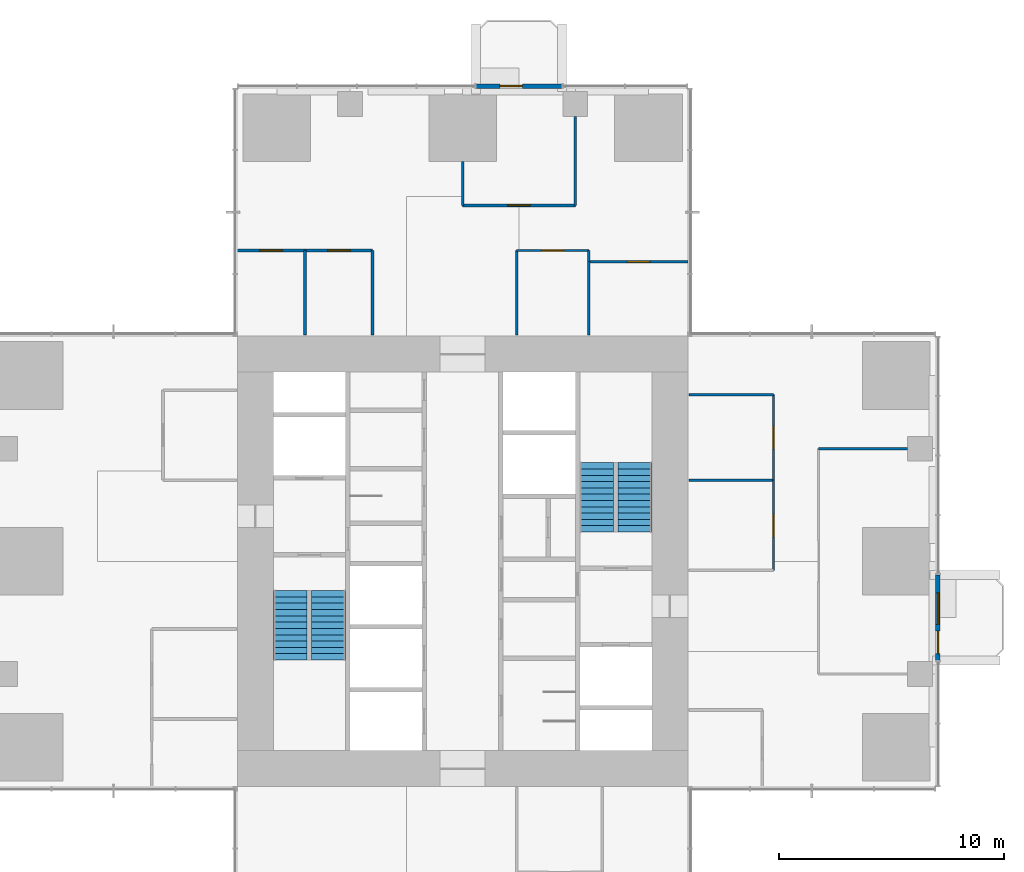
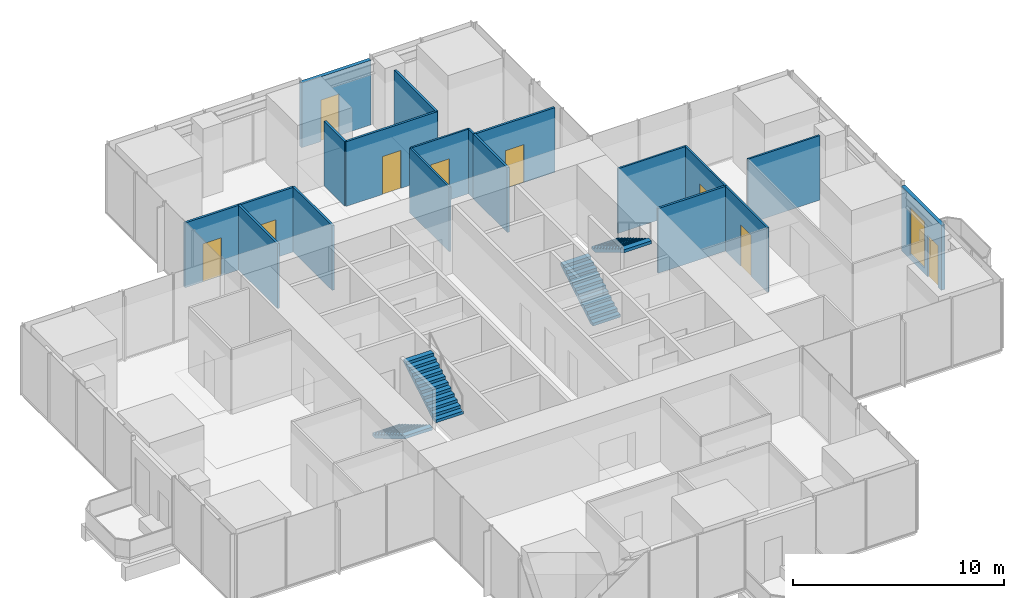
# One storey, part 10 of 13: 19 walls, 9 doors, 4 stair flights, 1 window, 10 openings, 2 elements without a shape of their own.
"""IFC4 building model written with IfcOpenShell, lengths in metres."""

from ifc_helpers import new_model, si_unit, direction, frame, frame_2d, origin, place, context, subcontext, project, spatial, polyline, rectangle, outline, extrude, material, layer, layer_set, type_object, element, fill, aggregate, save


model = new_model("IFC4")

# Units and contexts
model_context = context("Model", 3, precision=1e-05, world=origin(), true_north=direction((0.0, 1.0)))
body_context = subcontext(model_context, "Body", "Model", "MODEL_VIEW")
ifc_project = project(units=[si_unit("LENGTHUNIT", "METRE"), si_unit("AREAUNIT", "SQUARE_METRE"), si_unit("VOLUMEUNIT", "CUBIC_METRE"), si_unit("PLANEANGLEUNIT", "RADIAN"), si_unit("MASSUNIT", "GRAM", prefix="KILO")], contexts=[model_context])

# Site, building, storey
site_placement = place(None, origin())
site = spatial("IfcSite", under=ifc_project, at=site_placement, CompositionType="ELEMENT")
building_placement = place(site_placement, origin())
building = spatial("IfcBuilding", under=site, at=building_placement, Name="Svetlomir Tower", CompositionType="ELEMENT")
storey_placement = place(building_placement, frame((0.0, 0.0, 152.5)))
storey = spatial("IfcBuildingStorey", under=building, at=storey_placement, Name="L36", CompositionType="ELEMENT", Elevation=152.5)

# Wall, openings, door, window
ifc_material_1 = material(Name="Bronze anodised aluminium glazed screen", Category="aluminium")
ifc_layer_1 = layer(ifc_material_1, 0.199951171875)
ifc_layer_set_1 = layer_set([ifc_layer_1], Name="Bronze anodised aluminium glazed screen")
wall_type_1 = type_object("IfcWallType", Name="BALCONY SCREEN WALL 200", PredefinedType="USERDEFINED", material=ifc_layer_set_1)
wall_1_placement = place(storey_placement, frame((42.10009765625, 16.60009765625, 0.0), z_axis=(0.0, 0.0, 1.0), x_axis=(0.0, 1.0, 0.0)))
wall_1 = element("IfcWall", 1, at=wall_1_placement, inside=storey, type_object=wall_type_1, Name="Balcony screen E", ObjectType="GLAZED SCREEN", PredefinedType="USERDEFINED", context=body_context, shape_type="SweptSolid", body=[
    extrude(rectangle(XDim=3.7998046875, YDim=0.199951171875, at=frame_2d((1.89990234375, 0.0))), origin(), (0.0, 0.0, 1.0), 3.75),
])
opening_1_placement = place(wall_1_placement, frame((0.300048828125, 0.0, 0.0)))
opening_1 = element("IfcOpeningElement", 2, at=opening_1_placement, cuts=wall_1, Name="Opening BD", PredefinedType="OPENING", context=body_context, shape_type="SweptSolid", body=[
    extrude(rectangle(XDim=1.0, YDim=2.39990234375, at=frame_2d((0.5, 1.199951171875))), frame((0.0, 0.10986328125, 0.0), z_axis=(0.0, -1.0, 0.0), x_axis=(1.0, 0.0, 0.0)), (0.0, 0.0, 1.0), 0.219970703125),
])
opening_2_placement = place(wall_1_placement, frame((1.60009765625, 0.0, 0.300048828125)))
opening_2 = element("IfcOpeningElement", 3, at=opening_2_placement, cuts=wall_1, Name="Opening WS2", PredefinedType="OPENING", context=body_context, shape_type="SweptSolid", body=[
    extrude(rectangle(XDim=1.39990234375, YDim=2.699951171875, at=frame_2d((0.699951171875, 1.35009765625))), frame((0.0, 0.10986328125, 0.0), z_axis=(0.0, -1.0, 0.0), x_axis=(1.0, 0.0, 0.0)), (0.0, 0.0, 1.0), 0.219970703125),
])
ifc_material_2 = material(Name="Bronze anodised aluminium glazed door", Category="aluminium")
door_type_1 = type_object("IfcDoorType", Name="BALCONY DOOR BD 1000x2400", OperationType="SINGLE_SWING_LEFT", PredefinedType="DOOR", material=ifc_material_2)
door_1_placement = place(opening_1_placement, origin())
door_1 = element("IfcDoor", 4, at=door_1_placement, inside=storey, type_object=door_type_1, Name="Balcony screen E door", OperationType="SINGLE_SWING_LEFT", OverallHeight=2.39990234375, OverallWidth=1.0, PredefinedType="DOOR", context=body_context, shape_type="SweptSolid", body=[
    extrude(rectangle(XDim=1.0, YDim=2.39990234375, at=frame_2d((0.5, 1.199951171875))), frame((0.0, 0.02490234375, 0.0), z_axis=(0.0, -1.0, 0.0), x_axis=(1.0, 0.0, 0.0)), (0.0, 0.0, 1.0), 0.050048828125),
])
fill(opening_1, door_1)
ifc_material_3 = material(Name="Bronze anodised aluminium window", Category="aluminium")
window_type = type_object("IfcWindowType", Name="SCREEN WINDOW WS2 1400x2700", PartitioningType="SINGLE_PANEL", PredefinedType="WINDOW", material=ifc_material_3)
window_placement = place(opening_2_placement, origin())
window = element("IfcWindow", 5, at=window_placement, inside=storey, type_object=window_type, Name="Balcony screen E window 1", OverallHeight=2.699951171875, OverallWidth=1.39990234375, PartitioningType="SINGLE_PANEL", PredefinedType="WINDOW", context=body_context, shape_type="SweptSolid", body=[
    extrude(rectangle(XDim=1.39990234375, YDim=2.699951171875, at=frame_2d((0.699951171875, 1.35009765625))), frame((0.0, 0.030029296875, 0.0), z_axis=(0.0, -1.0, 0.0), x_axis=(1.0, 0.0, 0.0)), (0.0, 0.0, 1.0), 0.06005859375),
])
fill(opening_2, window)

# Wall, opening, door
wall_2_placement = place(storey_placement, frame((25.39990234375, 42.10009765625, 0.0), z_axis=(0.0, 0.0, 1.0), x_axis=(-1.0, 0.0, 0.0)))
wall_2 = element("IfcWall", 6, at=wall_2_placement, inside=storey, type_object=wall_type_1, Name="Balcony screen N", ObjectType="GLAZED SCREEN", PredefinedType="USERDEFINED", context=body_context, shape_type="SweptSolid", body=[
    extrude(rectangle(XDim=3.7998046875, YDim=0.199951171875, at=frame_2d((1.89990234375, 0.0))), origin(), (0.0, 0.0, 1.0), 3.75),
])
opening_3_placement = place(wall_2_placement, frame((1.75, 0.0, 0.0)))
opening_3 = element("IfcOpeningElement", 7, at=opening_3_placement, cuts=wall_2, Name="Opening BD", PredefinedType="OPENING", context=body_context, shape_type="SweptSolid", body=[
    extrude(rectangle(XDim=1.0, YDim=2.39990234375, at=frame_2d((0.5, 1.199951171875))), frame((0.0, 0.10986328125, 0.0), z_axis=(0.0, -1.0, 0.0), x_axis=(1.0, 0.0, 0.0)), (0.0, 0.0, 1.0), 0.219970703125),
])
door_2_placement = place(opening_3_placement, origin())
door_2 = element("IfcDoor", 8, at=door_2_placement, inside=storey, type_object=door_type_1, Name="Balcony screen N door", OperationType="SINGLE_SWING_LEFT", OverallHeight=2.39990234375, OverallWidth=1.0, PredefinedType="DOOR", context=body_context, shape_type="SweptSolid", body=[
    extrude(rectangle(XDim=1.0, YDim=2.39990234375, at=frame_2d((0.5, 1.199951171875))), frame((0.0, 0.02490234375, 0.0), z_axis=(0.0, -1.0, 0.0), x_axis=(1.0, 0.0, 0.0)), (0.0, 0.0, 1.0), 0.050048828125),
])
fill(opening_3, door_2)

# Wall
ifc_material_4 = material(Name="Framed laminated glass partition", Category="glass")
ifc_layer_2 = layer(ifc_material_4, 0.10009765625)
ifc_layer_set_2 = layer_set([ifc_layer_2], Name="Framed laminated glass partition")
wall_type_2 = type_object("IfcWallType", Name="GLAZED PARTITION 100", PredefinedType="PARTITIONING", material=ifc_layer_set_2)
wall_3_placement = place(storey_placement, frame((23.39990234375, 31.050048828125, 0.0), z_axis=(0.0, 0.0, 1.0), x_axis=(0.0, 1.0, 0.0)))
element("IfcWall", 9, at=wall_3_placement, inside=storey, type_object=wall_type_2, Name="Glazed partition L36", PredefinedType="PARTITIONING", context=body_context, shape_type="SweptSolid", body=[
    extrude(rectangle(XDim=3.75, YDim=0.10009765625, at=frame_2d((1.875, 0.0))), origin(), (0.0, 0.0, 1.0), 3.75),
])

# Wall, opening, door
wall_4_placement = place(storey_placement, frame((23.39990234375, 34.800048828125, 0.0), z_axis=(0.0, 0.0, 1.0), x_axis=(1.0, 0.0, 0.0)))
wall_4 = element("IfcWall", 10, at=wall_4_placement, inside=storey, type_object=wall_type_2, Name="Glazed partition L36", PredefinedType="PARTITIONING", context=body_context, shape_type="SweptSolid", body=[
    extrude(rectangle(XDim=3.2001953125, YDim=0.10009765625, at=frame_2d((1.60009765625, 0.0))), origin(), (0.0, 0.0, 1.0), 3.75),
])
opening_4_placement = place(wall_4_placement, frame((1.10009765625, 0.0, 0.0)))
opening_4 = element("IfcOpeningElement", 11, at=opening_4_placement, cuts=wall_4, Name="Opening DG", PredefinedType="OPENING", context=body_context, shape_type="SweptSolid", body=[
    extrude(rectangle(XDim=1.0, YDim=2.39990234375, at=frame_2d((0.5, 1.199951171875))), frame((0.0, 0.06005859375, 0.0), z_axis=(0.0, -1.0, 0.0), x_axis=(1.0, 0.0, 0.0)), (0.0, 0.0, 1.0), 0.1201171875),
])
ifc_material_5 = material(Name="Framed laminated glass door", Category="glass")
door_type_2 = type_object("IfcDoorType", Name="GLAZED DOOR DG 1000x2400", OperationType="SINGLE_SWING_LEFT", PredefinedType="DOOR", material=ifc_material_5)
door_3_placement = place(opening_4_placement, origin())
door_3 = element("IfcDoor", 12, at=door_3_placement, inside=storey, type_object=door_type_2, Name="Focus room 2 door L36", OperationType="SINGLE_SWING_LEFT", OverallHeight=2.39990234375, OverallWidth=1.0, PredefinedType="DOOR", context=body_context, shape_type="SweptSolid", body=[
    extrude(rectangle(XDim=1.0, YDim=2.39990234375, at=frame_2d((0.5, 1.199951171875))), frame((0.0, 0.02490234375, 0.0), z_axis=(0.0, -1.0, 0.0), x_axis=(1.0, 0.0, 0.0)), (0.0, 0.0, 1.0), 0.050048828125),
])
fill(opening_4, door_3)

# Walls
wall_5_placement = place(storey_placement, frame((26.60009765625, 34.300048828125, 0.0), z_axis=(0.0, 0.0, 1.0), x_axis=(0.0, 1.0, 0.0)))
element("IfcWall", 13, at=wall_5_placement, inside=storey, type_object=wall_type_2, Name="Glazed partition L36", PredefinedType="PARTITIONING", context=body_context, shape_type="SweptSolid", body=[
    extrude(rectangle(XDim=0.5, YDim=0.10009765625, at=frame_2d((0.25, 0.0))), origin(), (0.0, 0.0, 1.0), 3.75),
])
wall_6_placement = place(storey_placement, frame((31.050048828125, 28.39990234375, 0.0), z_axis=(0.0, 0.0, 1.0), x_axis=(1.0, 0.0, 0.0)))
element("IfcWall", 14, at=wall_6_placement, inside=storey, type_object=wall_type_2, Name="Glazed partition L36", PredefinedType="PARTITIONING", context=body_context, shape_type="SweptSolid", body=[
    extrude(rectangle(XDim=3.75, YDim=0.10009765625, at=frame_2d((1.875, 0.0))), origin(), (0.0, 0.0, 1.0), 3.75),
])

# Wall, opening, door
wall_7_placement = place(storey_placement, frame((34.800048828125, 20.60009765625, 0.0), z_axis=(0.0, 0.0, 1.0), x_axis=(0.0, 1.0, 0.0)))
wall_7 = element("IfcWall", 15, at=wall_7_placement, inside=storey, type_object=wall_type_2, Name="Glazed partition L36", PredefinedType="PARTITIONING", context=body_context, shape_type="SweptSolid", body=[
    extrude(rectangle(XDim=4.0, YDim=0.10009765625, at=frame_2d((2.0, 0.0))), origin(), (0.0, 0.0, 1.0), 3.75),
])
opening_5_placement = place(wall_7_placement, frame((1.5, 0.0, 0.0)))
opening_5 = element("IfcOpeningElement", 16, at=opening_5_placement, cuts=wall_7, Name="Opening DG", PredefinedType="OPENING", context=body_context, shape_type="SweptSolid", body=[
    extrude(rectangle(XDim=1.0, YDim=2.39990234375, at=frame_2d((0.5, 1.199951171875))), frame((0.0, 0.06005859375, 0.0), z_axis=(0.0, -1.0, 0.0), x_axis=(1.0, 0.0, 0.0)), (0.0, 0.0, 1.0), 0.1201171875),
])
door_4_placement = place(opening_5_placement, origin())
door_4 = element("IfcDoor", 17, at=door_4_placement, inside=storey, type_object=door_type_2, Name="Meeting room, 8 seats door L36", OperationType="SINGLE_SWING_RIGHT", OverallHeight=2.39990234375, OverallWidth=1.0, PredefinedType="DOOR", context=body_context, shape_type="SweptSolid", body=[
    extrude(rectangle(XDim=1.0, YDim=2.39990234375, at=frame_2d((0.5, 1.199951171875))), frame((0.0, 0.02490234375, 0.0), z_axis=(0.0, -1.0, 0.0), x_axis=(1.0, 0.0, 0.0)), (0.0, 0.0, 1.0), 0.050048828125),
])
fill(opening_5, door_4)

wall_8_placement = place(storey_placement, frame((34.800048828125, 24.60009765625, 0.0), z_axis=(0.0, 0.0, 1.0), x_axis=(0.0, 1.0, 0.0)))
wall_8 = element("IfcWall", 18, at=wall_8_placement, inside=storey, type_object=wall_type_2, Name="Glazed partition L36", PredefinedType="PARTITIONING", context=body_context, shape_type="SweptSolid", body=[
    extrude(rectangle(XDim=3.7998046875, YDim=0.10009765625, at=frame_2d((1.89990234375, 0.0))), origin(), (0.0, 0.0, 1.0), 3.75),
])
opening_6_placement = place(wall_8_placement, frame((1.39990234375, 0.0, 0.0)))
opening_6 = element("IfcOpeningElement", 19, at=opening_6_placement, cuts=wall_8, Name="Opening DG", PredefinedType="OPENING", context=body_context, shape_type="SweptSolid", body=[
    extrude(rectangle(XDim=1.0, YDim=2.39990234375, at=frame_2d((0.5, 1.199951171875))), frame((0.0, 0.06005859375, 0.0), z_axis=(0.0, -1.0, 0.0), x_axis=(1.0, 0.0, 0.0)), (0.0, 0.0, 1.0), 0.1201171875),
])
door_5_placement = place(opening_6_placement, origin())
door_5 = element("IfcDoor", 20, at=door_5_placement, inside=storey, type_object=door_type_2, Name="Focus room 1 door L36", OperationType="SINGLE_SWING_LEFT", OverallHeight=2.39990234375, OverallWidth=1.0, PredefinedType="DOOR", context=body_context, shape_type="SweptSolid", body=[
    extrude(rectangle(XDim=1.0, YDim=2.39990234375, at=frame_2d((0.5, 1.199951171875))), frame((0.0, 0.02490234375, 0.0), z_axis=(0.0, -1.0, 0.0), x_axis=(1.0, 0.0, 0.0)), (0.0, 0.0, 1.0), 0.050048828125),
])
fill(opening_6, door_5)

# Wall
wall_9_placement = place(storey_placement, frame((36.800048828125, 26.0, 0.0), z_axis=(0.0, 0.0, 1.0), x_axis=(1.0, 0.0, 0.0)))
element("IfcWall", 21, at=wall_9_placement, inside=storey, type_object=wall_type_2, Name="Glazed partition L36", PredefinedType="PARTITIONING", context=body_context, shape_type="SweptSolid", body=[
    extrude(rectangle(XDim=3.93994140625, YDim=0.10009765625, at=frame_2d((1.969970703125, 0.0))), origin(), (0.0, 0.0, 1.0), 3.75),
])

# Wall, opening, door
ifc_material_6 = material(Name="Gypsum board on steel studs", Category="steel")
ifc_layer_3 = layer(ifc_material_6, 0.1201171875)
ifc_layer_set_3 = layer_set([ifc_layer_3], Name="Gypsum board on steel studs")
wall_type_3 = type_object("IfcWallType", Name="PARTITION 120", PredefinedType="PARTITIONING", material=ifc_layer_set_3)
wall_10_placement = place(storey_placement, frame((11.0, 34.800048828125, 0.0), z_axis=(0.0, 0.0, 1.0), x_axis=(1.0, 0.0, 0.0)))
wall_10 = element("IfcWall", 22, at=wall_10_placement, inside=storey, type_object=wall_type_3, Name="Partition L36", PredefinedType="PARTITIONING", context=body_context, shape_type="SweptSolid", body=[
    extrude(rectangle(XDim=3.0, YDim=0.1201171875, at=frame_2d((1.5, 0.0))), origin(), (0.0, 0.0, 1.0), 3.75),
])
opening_7_placement = place(wall_10_placement, frame((1.0, 0.0, 0.0)))
opening_7 = element("IfcOpeningElement", 23, at=opening_7_placement, cuts=wall_10, Name="Opening DR", PredefinedType="OPENING", context=body_context, shape_type="SweptSolid", body=[
    extrude(rectangle(XDim=1.0, YDim=2.199951171875, at=frame_2d((0.5, 1.10009765625))), frame((0.0, 0.070068359375, 0.0), z_axis=(0.0, -1.0, 0.0), x_axis=(1.0, 0.0, 0.0)), (0.0, 0.0, 1.0), 0.14013671875),
])
ifc_material_7 = material(Name="Timber door, glazed side light", Category="wood")
door_type_3 = type_object("IfcDoorType", Name="DOOR DR 1000x2200", OperationType="SINGLE_SWING_LEFT", PredefinedType="DOOR", material=ifc_material_7)
door_6_placement = place(opening_7_placement, origin())
door_6 = element("IfcDoor", 24, at=door_6_placement, inside=storey, type_object=door_type_3, Name="Editing suite 1 door L36", OperationType="SINGLE_SWING_RIGHT", OverallHeight=2.199951171875, OverallWidth=1.0, PredefinedType="DOOR", context=body_context, shape_type="SweptSolid", body=[
    extrude(rectangle(XDim=1.0, YDim=2.199951171875, at=frame_2d((0.5, 1.10009765625))), frame((0.0, 0.02490234375, 0.0), z_axis=(0.0, -1.0, 0.0), x_axis=(1.0, 0.0, 0.0)), (0.0, 0.0, 1.0), 0.050048828125),
])
fill(opening_7, door_6)

# Wall
wall_11_placement = place(storey_placement, frame((14.0, 31.050048828125, 0.0), z_axis=(0.0, 0.0, 1.0), x_axis=(0.0, 1.0, 0.0)))
element("IfcWall", 25, at=wall_11_placement, inside=storey, type_object=wall_type_3, Name="Partition L36", PredefinedType="PARTITIONING", context=body_context, shape_type="SweptSolid", body=[
    extrude(rectangle(XDim=3.75, YDim=0.1201171875, at=frame_2d((1.875, 0.0))), origin(), (0.0, 0.0, 1.0), 3.75),
])

# Wall, opening, door
wall_12_placement = place(storey_placement, frame((14.0, 34.800048828125, 0.0), z_axis=(0.0, 0.0, 1.0), x_axis=(1.0, 0.0, 0.0)))
wall_12 = element("IfcWall", 26, at=wall_12_placement, inside=storey, type_object=wall_type_3, Name="Partition L36", PredefinedType="PARTITIONING", context=body_context, shape_type="SweptSolid", body=[
    extrude(rectangle(XDim=3.0, YDim=0.1201171875, at=frame_2d((1.5, 0.0))), origin(), (0.0, 0.0, 1.0), 3.75),
])
opening_8_placement = place(wall_12_placement, frame((1.0, 0.0, 0.0)))
opening_8 = element("IfcOpeningElement", 27, at=opening_8_placement, cuts=wall_12, Name="Opening DR", PredefinedType="OPENING", context=body_context, shape_type="SweptSolid", body=[
    extrude(rectangle(XDim=1.0, YDim=2.199951171875, at=frame_2d((0.5, 1.10009765625))), frame((0.0, 0.070068359375, 0.0), z_axis=(0.0, -1.0, 0.0), x_axis=(1.0, 0.0, 0.0)), (0.0, 0.0, 1.0), 0.14013671875),
])
door_7_placement = place(opening_8_placement, origin())
door_7 = element("IfcDoor", 28, at=door_7_placement, inside=storey, type_object=door_type_3, Name="Editing suite 2 door L36", OperationType="SINGLE_SWING_RIGHT", OverallHeight=2.199951171875, OverallWidth=1.0, PredefinedType="DOOR", context=body_context, shape_type="SweptSolid", body=[
    extrude(rectangle(XDim=1.0, YDim=2.199951171875, at=frame_2d((0.5, 1.10009765625))), frame((0.0, 0.02490234375, 0.0), z_axis=(0.0, -1.0, 0.0), x_axis=(1.0, 0.0, 0.0)), (0.0, 0.0, 1.0), 0.050048828125),
])
fill(opening_8, door_7)

# Walls
wall_13_placement = place(storey_placement, frame((17.0, 31.050048828125, 0.0), z_axis=(0.0, 0.0, 1.0), x_axis=(0.0, 1.0, 0.0)))
element("IfcWall", 29, at=wall_13_placement, inside=storey, type_object=wall_type_3, Name="Partition L36", PredefinedType="PARTITIONING", context=body_context, shape_type="SweptSolid", body=[
    extrude(rectangle(XDim=3.75, YDim=0.1201171875, at=frame_2d((1.875, 0.0))), origin(), (0.0, 0.0, 1.0), 3.75),
])
wall_14_placement = place(storey_placement, frame((21.0, 36.800048828125, 0.0), z_axis=(0.0, 0.0, 1.0), x_axis=(0.0, 1.0, 0.0)))
element("IfcWall", 30, at=wall_14_placement, inside=storey, type_object=wall_type_3, Name="Partition L36", PredefinedType="PARTITIONING", context=body_context, shape_type="SweptSolid", body=[
    extrude(rectangle(XDim=1.93994140625, YDim=0.1201171875, at=frame_2d((0.969970703125, 0.0))), origin(), (0.0, 0.0, 1.0), 3.75),
])

# Wall, opening, door
wall_15_placement = place(storey_placement, frame((21.0, 36.800048828125, 0.0), z_axis=(0.0, 0.0, 1.0), x_axis=(1.0, 0.0, 0.0)))
wall_15 = element("IfcWall", 31, at=wall_15_placement, inside=storey, type_object=wall_type_3, Name="Partition L36", PredefinedType="PARTITIONING", context=body_context, shape_type="SweptSolid", body=[
    extrude(rectangle(XDim=5.0, YDim=0.1201171875, at=frame_2d((2.5, 0.0))), origin(), (0.0, 0.0, 1.0), 3.75),
])
opening_9_placement = place(wall_15_placement, frame((2.0, 0.0, 0.0)))
opening_9 = element("IfcOpeningElement", 32, at=opening_9_placement, cuts=wall_15, Name="Opening DR", PredefinedType="OPENING", context=body_context, shape_type="SweptSolid", body=[
    extrude(rectangle(XDim=1.0, YDim=2.199951171875, at=frame_2d((0.5, 1.10009765625))), frame((0.0, 0.070068359375, 0.0), z_axis=(0.0, -1.0, 0.0), x_axis=(1.0, 0.0, 0.0)), (0.0, 0.0, 1.0), 0.14013671875),
])
door_8_placement = place(opening_9_placement, origin())
door_8 = element("IfcDoor", 33, at=door_8_placement, inside=storey, type_object=door_type_3, Name="Photo studio door L36", OperationType="SINGLE_SWING_LEFT", OverallHeight=2.199951171875, OverallWidth=1.0, PredefinedType="DOOR", context=body_context, shape_type="SweptSolid", body=[
    extrude(rectangle(XDim=1.0, YDim=2.199951171875, at=frame_2d((0.5, 1.10009765625))), frame((0.0, 0.02490234375, 0.0), z_axis=(0.0, -1.0, 0.0), x_axis=(1.0, 0.0, 0.0)), (0.0, 0.0, 1.0), 0.050048828125),
])
fill(opening_9, door_8)

# Walls
wall_16_placement = place(storey_placement, frame((26.0, 36.800048828125, 0.0), z_axis=(0.0, 0.0, 1.0), x_axis=(0.0, 1.0, 0.0)))
element("IfcWall", 34, at=wall_16_placement, inside=storey, type_object=wall_type_3, Name="Partition L36", PredefinedType="PARTITIONING", context=body_context, shape_type="SweptSolid", body=[
    extrude(rectangle(XDim=3.93994140625, YDim=0.1201171875, at=frame_2d((1.969970703125, 0.0))), origin(), (0.0, 0.0, 1.0), 3.75),
])
wall_17_placement = place(storey_placement, frame((26.60009765625, 31.050048828125, 0.0), z_axis=(0.0, 0.0, 1.0), x_axis=(0.0, 1.0, 0.0)))
element("IfcWall", 35, at=wall_17_placement, inside=storey, type_object=wall_type_3, Name="Partition L36", PredefinedType="PARTITIONING", context=body_context, shape_type="SweptSolid", body=[
    extrude(rectangle(XDim=3.25, YDim=0.1201171875, at=frame_2d((1.625, 0.0))), origin(), (0.0, 0.0, 1.0), 3.75),
])

# Wall, opening, door
wall_18_placement = place(storey_placement, frame((26.60009765625, 34.300048828125, 0.0), z_axis=(0.0, 0.0, 1.0), x_axis=(1.0, 0.0, 0.0)))
wall_18 = element("IfcWall", 36, at=wall_18_placement, inside=storey, type_object=wall_type_3, Name="Partition L36", PredefinedType="PARTITIONING", context=body_context, shape_type="SweptSolid", body=[
    extrude(rectangle(XDim=4.39990234375, YDim=0.1201171875, at=frame_2d((2.199951171875, 0.0))), origin(), (0.0, 0.0, 1.0), 3.75),
])
opening_10_placement = place(wall_18_placement, frame((1.699951171875, 0.0, 0.0)))
opening_10 = element("IfcOpeningElement", 37, at=opening_10_placement, cuts=wall_18, Name="Opening DR", PredefinedType="OPENING", context=body_context, shape_type="SweptSolid", body=[
    extrude(rectangle(XDim=1.0, YDim=2.199951171875, at=frame_2d((0.5, 1.10009765625))), frame((0.0, 0.070068359375, 0.0), z_axis=(0.0, -1.0, 0.0), x_axis=(1.0, 0.0, 0.0)), (0.0, 0.0, 1.0), 0.14013671875),
])
door_9_placement = place(opening_10_placement, origin())
door_9 = element("IfcDoor", 38, at=door_9_placement, inside=storey, type_object=door_type_3, Name="Print and copy room door L36", OperationType="SINGLE_SWING_LEFT", OverallHeight=2.199951171875, OverallWidth=1.0, PredefinedType="DOOR", context=body_context, shape_type="SweptSolid", body=[
    extrude(rectangle(XDim=1.0, YDim=2.199951171875, at=frame_2d((0.5, 1.10009765625))), frame((0.0, 0.02490234375, 0.0), z_axis=(0.0, -1.0, 0.0), x_axis=(1.0, 0.0, 0.0)), (0.0, 0.0, 1.0), 0.050048828125),
])
fill(opening_10, door_9)

# Wall
wall_19_placement = place(storey_placement, frame((31.050048828125, 24.60009765625, 0.0), z_axis=(0.0, 0.0, 1.0), x_axis=(1.0, 0.0, 0.0)))
element("IfcWall", 39, at=wall_19_placement, inside=storey, type_object=wall_type_3, Name="Partition L36", PredefinedType="PARTITIONING", context=body_context, shape_type="SweptSolid", body=[
    extrude(rectangle(XDim=3.75, YDim=0.1201171875, at=frame_2d((1.875, 0.0))), origin(), (0.0, 0.0, 1.0), 3.75),
])

# Stair, stair flights
ifc_material_8 = material(Name="Concrete C60/75", Category="concrete")
stair_type = type_object("IfcStairType", Name="EXIT STAIR 3200 RISE 4000", PredefinedType="HALF_TURN_STAIR", material=ifc_material_8)
stair_1_placement = place(storey_placement, origin())
stair_1 = element("IfcStair", 40, at=stair_1_placement, inside=storey, type_object=stair_type, Name="Stair S1 L36 to L37", PredefinedType="HALF_TURN_STAIR")
ifc_material_9 = material(Name="Concrete C60/75", Category="concrete")
stair_flight_type = type_object("IfcStairFlightType", Name="STAIR FLIGHT 1500 OF 12 RISERS", PredefinedType="STRAIGHT", material=ifc_material_9)
stair_flight_1_placement = place(storey_placement, frame((13.35009765625, 19.699951171875, 0.0), z_axis=(0.0, 0.0, 1.0), x_axis=(0.0, -1.0, 0.0)))
stair_flight_1 = element("IfcStairFlight", 41, at=stair_flight_1_placement, type_object=stair_flight_type, Name="S1 flight 1", NumberOfRisers=12, NumberOfTreads=11, PredefinedType="STRAIGHT", RiserHeight=0.166666667, TreadLength=0.28, context=body_context, shape_type="SweptSolid", body=[
    extrude(outline(polyline([(0.0, 0.0), (0.0, 0.166748046875), (0.280029296875, 0.166748046875), (0.280029296875, 0.333251953125), (0.56005859375, 0.333251953125), (0.56005859375, 0.5), (0.840087890625, 0.5), (0.840087890625, 0.666748046875), (1.1201171875, 0.666748046875), (1.1201171875, 0.833251953125), (1.39990234375, 0.833251953125), (1.39990234375, 1.0), (1.679931640625, 1.0), (1.679931640625, 1.166748046875), (1.9599609375, 1.166748046875), (1.9599609375, 1.333251953125), (2.239990234375, 1.333251953125), (2.239990234375, 1.5), (2.52001953125, 1.5), (2.52001953125, 1.666748046875), (2.800048828125, 1.666748046875), (2.800048828125, 1.833251953125), (3.080078125, 1.833251953125), (3.080078125, 2.0), (3.080078125, 1.658935546875), (0.29296875, 0.0), (0.0, 0.0)])), frame((0.0, 0.75, 0.0), z_axis=(0.0, -1.0, 0.0), x_axis=(1.0, 0.0, 0.0)), (0.0, 0.0, 1.0), 1.5),
])
stair_flight_2_placement = place(storey_placement, frame((15.050048828125, 16.6201171875, 2.0), z_axis=(0.0, 0.0, 1.0), x_axis=(0.0, 1.0, 0.0)))
stair_flight_2 = element("IfcStairFlight", 42, at=stair_flight_2_placement, type_object=stair_flight_type, Name="S1 flight 2", NumberOfRisers=12, NumberOfTreads=11, PredefinedType="STRAIGHT", RiserHeight=0.166666667, TreadLength=0.28, context=body_context, shape_type="SweptSolid", body=[
    extrude(outline(polyline([(0.0, 0.0), (0.0, 0.166748046875), (0.280029296875, 0.166748046875), (0.280029296875, 0.333251953125), (0.56005859375, 0.333251953125), (0.56005859375, 0.5), (0.840087890625, 0.5), (0.840087890625, 0.666748046875), (1.1201171875, 0.666748046875), (1.1201171875, 0.833251953125), (1.39990234375, 0.833251953125), (1.39990234375, 1.0), (1.679931640625, 1.0), (1.679931640625, 1.166748046875), (1.9599609375, 1.166748046875), (1.9599609375, 1.333251953125), (2.239990234375, 1.333251953125), (2.239990234375, 1.5), (2.52001953125, 1.5), (2.52001953125, 1.666748046875), (2.800048828125, 1.666748046875), (2.800048828125, 1.833251953125), (3.080078125, 1.833251953125), (3.080078125, 2.0), (3.080078125, 1.658935546875), (0.29296875, 0.0), (0.0, 0.0)])), frame((0.0, 0.75, 0.0), z_axis=(0.0, -1.0, 0.0), x_axis=(1.0, 0.0, 0.0)), (0.0, 0.0, 1.0), 1.5),
])
aggregate(stair_1, [stair_flight_1, stair_flight_2])

stair_2_placement = place(storey_placement, origin())
stair_2 = element("IfcStair", 43, at=stair_2_placement, inside=storey, type_object=stair_type, Name="Stair S2 L36 to L37", PredefinedType="HALF_TURN_STAIR")
stair_flight_3_placement = place(storey_placement, frame((26.949951171875, 22.300048828125, 0.0), z_axis=(0.0, 0.0, 1.0), x_axis=(0.0, 1.0, 0.0)))
stair_flight_3 = element("IfcStairFlight", 44, at=stair_flight_3_placement, type_object=stair_flight_type, Name="S2 flight 1", NumberOfRisers=12, NumberOfTreads=11, PredefinedType="STRAIGHT", RiserHeight=0.166666667, TreadLength=0.28, context=body_context, shape_type="SweptSolid", body=[
    extrude(outline(polyline([(0.0, 0.0), (0.0, 0.166748046875), (0.280029296875, 0.166748046875), (0.280029296875, 0.333251953125), (0.56005859375, 0.333251953125), (0.56005859375, 0.5), (0.840087890625, 0.5), (0.840087890625, 0.666748046875), (1.1201171875, 0.666748046875), (1.1201171875, 0.833251953125), (1.39990234375, 0.833251953125), (1.39990234375, 1.0), (1.679931640625, 1.0), (1.679931640625, 1.166748046875), (1.9599609375, 1.166748046875), (1.9599609375, 1.333251953125), (2.239990234375, 1.333251953125), (2.239990234375, 1.5), (2.52001953125, 1.5), (2.52001953125, 1.666748046875), (2.800048828125, 1.666748046875), (2.800048828125, 1.833251953125), (3.080078125, 1.833251953125), (3.080078125, 2.0), (3.080078125, 1.658935546875), (0.29296875, 0.0), (0.0, 0.0)])), frame((0.0, 0.75, 0.0), z_axis=(0.0, -1.0, 0.0), x_axis=(1.0, 0.0, 0.0)), (0.0, 0.0, 1.0), 1.5),
])
stair_flight_4_placement = place(storey_placement, frame((28.64990234375, 25.3798828125, 2.0), z_axis=(0.0, 0.0, 1.0), x_axis=(0.0, -1.0, 0.0)))
stair_flight_4 = element("IfcStairFlight", 45, at=stair_flight_4_placement, type_object=stair_flight_type, Name="S2 flight 2", NumberOfRisers=12, NumberOfTreads=11, PredefinedType="STRAIGHT", RiserHeight=0.166666667, TreadLength=0.28, context=body_context, shape_type="SweptSolid", body=[
    extrude(outline(polyline([(0.0, 0.0), (0.0, 0.166748046875), (0.280029296875, 0.166748046875), (0.280029296875, 0.333251953125), (0.56005859375, 0.333251953125), (0.56005859375, 0.5), (0.840087890625, 0.5), (0.840087890625, 0.666748046875), (1.1201171875, 0.666748046875), (1.1201171875, 0.833251953125), (1.39990234375, 0.833251953125), (1.39990234375, 1.0), (1.679931640625, 1.0), (1.679931640625, 1.166748046875), (1.9599609375, 1.166748046875), (1.9599609375, 1.333251953125), (2.239990234375, 1.333251953125), (2.239990234375, 1.5), (2.52001953125, 1.5), (2.52001953125, 1.666748046875), (2.800048828125, 1.666748046875), (2.800048828125, 1.833251953125), (3.080078125, 1.833251953125), (3.080078125, 2.0), (3.080078125, 1.658935546875), (0.29296875, 0.0), (0.0, 0.0)])), frame((0.0, 0.75, 0.0), z_axis=(0.0, -1.0, 0.0), x_axis=(1.0, 0.0, 0.0)), (0.0, 0.0, 1.0), 1.5),
])
aggregate(stair_2, [stair_flight_3, stair_flight_4])

save(model, "model.ifc")
